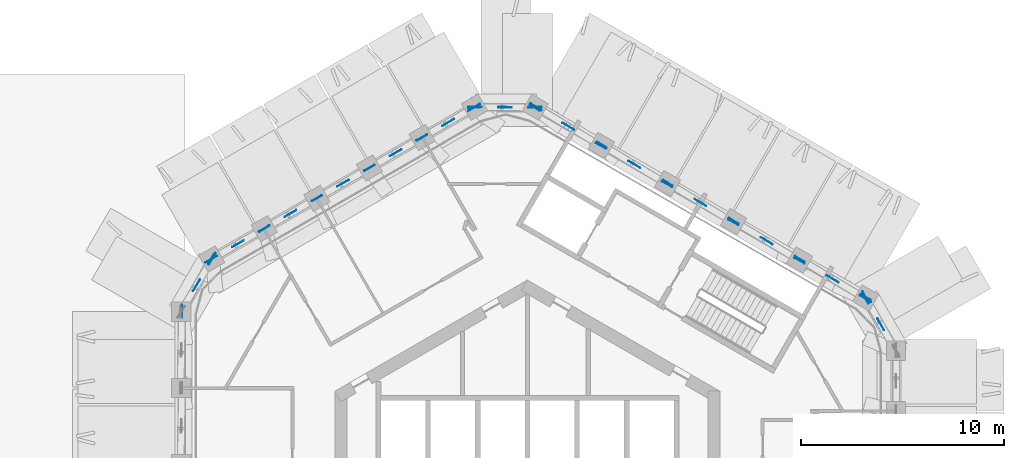
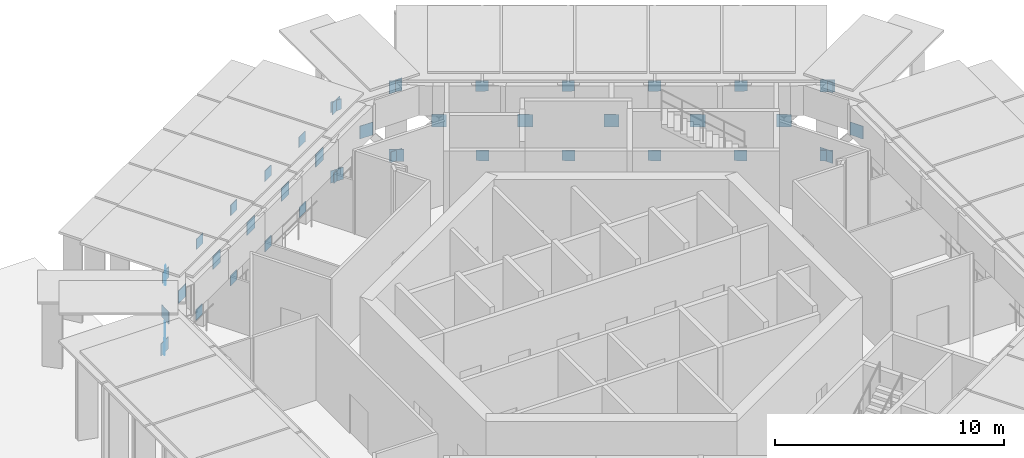
# One storey, part 11 of 15: 46 discrete accessories.
"""IFC4 building model written with IfcOpenShell, lengths in metres."""

import ifcopenshell
import ifcopenshell.guid

model = None  # the IFC model being written
_history = None  # IfcOwnerHistory: only IFC2X3 demands one
_inside = {}  # id of a spatial element -> (the spatial element, [elements in it])
_under = {}  # id of a project, library or spatial element -> (it, [spatial elements below it])
_declared = {}  # id of a project -> (the project, [libraries it declares])
_typed = {}  # id of a type object -> (the type object, [elements of that type])
_made_of = {}  # id of a material, layer set ... -> (it, [elements and type objects made of it])


def new_model(schema):
    """Start an empty IFC model of exactly this schema.

    Asked for "IFC4X3", IfcOpenShell would pick the latest addendum, in which some entities
    have other attributes; the version numbers below select the first issue.
    IFC2X3 requires an IfcOwnerHistory on every rooted entity: one is made here for all.
    """
    global model, _history
    if schema == "IFC4X3":
        model = ifcopenshell.file(schema_version=(4, 3, 0, 0))
    else:
        model = ifcopenshell.file(schema=schema)
    _inside.clear()
    _under.clear()
    _declared.clear()
    _typed.clear()
    _made_of.clear()
    _history = None
    if model.schema == "IFC2X3":
        org = make("IfcOrganization", Name="unknown")
        user = make(
            "IfcPersonAndOrganization",
            ThePerson=make("IfcPerson", FamilyName="unknown"),
            TheOrganization=org,
        )
        app = make(
            "IfcApplication",
            ApplicationDeveloper=org,
            Version="unknown",
            ApplicationFullName="unknown",
            ApplicationIdentifier="unknown",
        )
        _history = make(
            "IfcOwnerHistory",
            OwningUser=user,
            OwningApplication=app,
            ChangeAction="ADDED",
            CreationDate=0,
        )
    return model


def make(cls, **values):
    """One entity of the class cls with the attributes given. An attribute that is None is left unset."""
    return model.create_entity(
        cls, **{name: value for name, value in values.items() if value is not None}
    )


def rooted(cls, **values):
    """An entity with a GlobalId (a new one), such as an element, a storey or a relation."""
    return make(cls, GlobalId=ifcopenshell.guid.new(), OwnerHistory=_history, **values)


def si_unit(unit_type, name, prefix=None):
    """IfcSIUnit, for example si_unit("LENGTHUNIT", "METRE", prefix="MILLI")."""
    return make("IfcSIUnit", UnitType=unit_type, Prefix=prefix, Name=name)


def assignment(units):
    """IfcUnitAssignment: the units of a project."""
    return None if units is None else make("IfcUnitAssignment", Units=units)


def point(xyz):
    """IfcCartesianPoint."""
    return None if xyz is None else make("IfcCartesianPoint", Coordinates=xyz)


def direction(xyz):
    """IfcDirection."""
    return None if xyz is None else make("IfcDirection", DirectionRatios=xyz)


def frame(location, z_axis=None, x_axis=None):
    """IfcAxis2Placement3D, a coordinate frame: its origin and axes. An axis left out is left unset."""
    return make(
        "IfcAxis2Placement3D",
        Location=point(location),
        Axis=direction(z_axis),
        RefDirection=direction(x_axis),
    )


def frame_2d(location, x_axis=None):
    """IfcAxis2Placement2D, a coordinate frame in the plane: its origin and x axis."""
    return make(
        "IfcAxis2Placement2D", Location=point(location), RefDirection=direction(x_axis)
    )


def origin():
    """The frame at (0, 0, 0) with its axes left unset."""
    return frame((0.0, 0.0, 0.0))


def origin_2d():
    """The frame at (0, 0) in the plane with its x axis left unset."""
    return frame_2d((0.0, 0.0))


def place(relative_to, where):
    """IfcLocalPlacement: puts the frame where relative to a parent placement (None: the world)."""
    return make(
        "IfcLocalPlacement", PlacementRelTo=relative_to, RelativePlacement=where
    )


def context(
    kind, dimensions, precision=None, world=None, true_north=None, identifier=None
):
    """IfcGeometricRepresentationContext, for example the 3D "Model" context."""
    return make(
        "IfcGeometricRepresentationContext",
        ContextIdentifier=identifier,
        ContextType=kind,
        CoordinateSpaceDimension=dimensions,
        Precision=precision,
        WorldCoordinateSystem=world,
        TrueNorth=true_north,
    )


def subcontext(parent, identifier, kind, view, scale=None):
    """IfcGeometricRepresentationSubContext, for example "Body" below "Model"."""
    return make(
        "IfcGeometricRepresentationSubContext",
        ContextIdentifier=identifier,
        ContextType=kind,
        ParentContext=parent,
        TargetScale=scale,
        TargetView=view,
    )


def project(units=None, contexts=None):
    """IfcProject with its units and contexts."""
    return rooted(
        "IfcProject",
        Name="project",
        RepresentationContexts=contexts,
        UnitsInContext=assignment(units),
    )


def spatial(cls, under=None, at=None, **own):
    """A site, building, storey or space (cls), placed at a placement, below another one or the project."""
    s = rooted(cls, ObjectPlacement=at, **own)
    if under is not None:
        _under.setdefault(under.id(), (under, []))[1].append(s)
    return s


def profile(cls, at=None, kind="AREA", **sizes):
    """A parametric profile (cls). Its sizes go by their IFC names, for example OverallWidth=200.0."""
    return make(cls, ProfileType=kind, Position=at, **sizes)


def rectangle(**sizes):
    """IfcRectangleProfileDef."""
    return profile("IfcRectangleProfileDef", **sizes)


def extrude(swept, where, along, depth):
    """IfcExtrudedAreaSolid: the profile swept, set in the frame where, extruded along a direction by depth."""
    return make(
        "IfcExtrudedAreaSolid",
        SweptArea=swept,
        Position=where,
        ExtrudedDirection=direction(along),
        Depth=depth,
    )


def shape(context_of_items, identifier, shape_type, items):
    """IfcShapeRepresentation: the items that make up one representation, for example the "Body"."""
    return make(
        "IfcShapeRepresentation",
        ContextOfItems=context_of_items,
        RepresentationIdentifier=identifier,
        RepresentationType=shape_type,
        Items=items,
    )


def material(Name=None, Category=None):
    """IfcMaterial."""
    return make("IfcMaterial", Name=Name, Category=Category)


def layer(
    of_material, thickness, ventilated=None, Name=None, Category=None, Priority=None
):
    """IfcMaterialLayer: one layer of a wall or slab, of a material (None: an air gap)."""
    return make(
        "IfcMaterialLayer",
        Material=of_material,
        LayerThickness=thickness,
        IsVentilated=ventilated,
        Name=Name,
        Category=Category,
        Priority=Priority,
    )


def layer_set(layers, Name=None):
    """IfcMaterialLayerSet."""
    return make("IfcMaterialLayerSet", MaterialLayers=layers, LayerSetName=Name)


def made_of(thing, what):
    """Note that an element or type object is made of a material, layer set ...; save() writes the relation."""
    if what is not None:
        _made_of.setdefault(what.id(), (what, []))[1].append(thing)
    return thing


def type_object(cls, material=None, **own):
    """A type object (cls), such as IfcWallType, which elements share."""
    return made_of(rooted(cls, **own), material)


def element(
    cls,
    number,
    at=None,
    inside=None,
    cuts=None,
    type_object=None,
    material=None,
    context=None,
    identifier="Body",
    shape_type=None,
    held_by="IfcProductDefinitionShape",
    body=None,
    shapes=None,
    **own,
):
    """One element of the class cls, such as IfcWall. Its Tag is "e" and its number.

    at: its placement. inside: the storey or other place that contains it. cuts: it is an
    opening in that element (IfcRelVoidsElement). A single representation is given by context,
    identifier, shape_type and body (its items); several are given by shapes. held_by: the class
    of the entity that holds the representations. save() writes the other relations.
    """
    e = rooted(cls, Tag="e%d" % number, ObjectPlacement=at, **own)
    if body is not None:
        shapes = [shape(context, identifier, shape_type, body)]
    if shapes is not None:
        e.Representation = make(held_by, Representations=shapes)
    if inside is not None:
        _inside.setdefault(inside.id(), (inside, []))[1].append(e)
    if cuts is not None:
        rooted(
            "IfcRelVoidsElement", RelatingBuildingElement=cuts, RelatedOpeningElement=e
        )
    if type_object is not None:
        _typed.setdefault(type_object.id(), (type_object, []))[1].append(e)
    return made_of(e, material)


def aggregate(whole, parts):
    """IfcRelAggregates: a whole, such as a stair, and the parts it consists of."""
    return rooted("IfcRelAggregates", RelatingObject=whole, RelatedObjects=parts)


def save(model, path):
    """Write the relations noted so far, then the file.

    IfcRelAggregates (storeys below a building ...), IfcRelContainedInSpatialStructure (elements
    in a storey), IfcRelDefinesByType, IfcRelAssociatesMaterial and IfcRelDeclares: one each for
    every whole, place, type object, material and project.
    """
    for whole, parts in _under.values():
        aggregate(whole, parts)
    for where, things in _inside.values():
        rooted(
            "IfcRelContainedInSpatialStructure",
            RelatedElements=things,
            RelatingStructure=where,
        )
    for kind, things in _typed.values():
        rooted("IfcRelDefinesByType", RelatedObjects=things, RelatingType=kind)
    for what, things in _made_of.values():
        rooted("IfcRelAssociatesMaterial", RelatedObjects=things, RelatingMaterial=what)
    for by, libraries in _declared.values():
        rooted("IfcRelDeclares", RelatingContext=by, RelatedDefinitions=libraries)
    model.write(path)


model = new_model("IFC4")

# Units and contexts
model_context = context("Model", 3, precision=1e-05, world=origin(), true_north=direction((0.0, 1.0)))
body_context = subcontext(model_context, "Body", "Model", "MODEL_VIEW")
ifc_project = project(units=[si_unit("LENGTHUNIT", "METRE"), si_unit("AREAUNIT", "SQUARE_METRE"), si_unit("VOLUMEUNIT", "CUBIC_METRE"), si_unit("PLANEANGLEUNIT", "RADIAN"), si_unit("MASSUNIT", "GRAM", prefix="KILO")], contexts=[model_context])

# Site, building, storey
site_placement = place(None, origin())
site = spatial("IfcSite", under=ifc_project, at=site_placement, CompositionType="ELEMENT")
building_placement = place(site_placement, origin())
building = spatial("IfcBuilding", under=site, at=building_placement, Name="Ayvan Gate Tower", CompositionType="ELEMENT")
storey_placement = place(building_placement, frame((0.0, 0.0, 214.10009765625)))
storey = spatial("IfcBuildingStorey", under=building, at=storey_placement, Name="L57", CompositionType="ELEMENT", Elevation=214.10009765625)

# Discrete accessories
ifc_material = material(Name="Steel S460ML", Category="steel")
ifc_layer = layer(ifc_material, 0.030029296875)
ifc_layer_set = layer_set([ifc_layer], Name="Steel S460ML")
discrete_accessory_type = type_object("IfcDiscreteAccessoryType", Name="Gusset plate 30 mm", PredefinedType="BRACKET", material=ifc_layer_set)
for number, where, z_axis, x_axis, name in (
    (1, (3.622802734375, 17.58837890625, 3.81982421875), (0.0, 0.0, 1.0), (-0.874555391862, 0.484925629932, 0.0), "Gusset plate BT3-DA-10"),
    (2, (0.356689453125, 19.473876953125, 3.81982421875), (0.0, 0.0, 1.0), (-0.874521535535, 0.484986684235, 0.0), "Gusset plate BT3-DA-11"),
    (3, (0.422119140625, 19.51171875, 0.06982421875), (0.0, 0.0, 1.0), (0.999924020286, 0.012326948298, 0.0), "Gusset plate BT3-DA-12"),
    (4, (-2.643310546875, 19.473876953125, 3.81982421875), (0.0, 0.0, 1.0), (0.999924020286, 0.012326948298, 0.0), "Gusset plate BT3-DA-12"),
    (5, (-2.577880859375, 19.51171875, 0.06982421875), (0.0, 0.0, 1.0), (0.866025403784, 0.5, 0.0), "Gusset plate BT3-DA-13"),
    (6, (-5.223388671875, 17.984375, 3.81982421875), (0.0, 0.0, 1.0), (0.866025403784, 0.5, 0.0), "Gusset plate BT3-DA-13"),
    (7, (-7.80322265625, 16.494873046875, 3.81982421875), (0.0, 0.0, 1.0), (0.866025403784, 0.5, 0.0), "Gusset plate BT3-DA-14"),
    (8, (-10.38330078125, 15.005126953125, 3.81982421875), (0.0, 0.0, 1.0), (0.866025403784, 0.5, 0.0), "Gusset plate BT3-DA-15"),
    (9, (-12.963134765625, 13.515625, 3.81982421875), (0.0, 0.0, 1.0), (0.866025403784, 0.5, 0.0), "Gusset plate BT3-DA-16"),
    (10, (-15.543212890625, 12.026123046875, 3.81982421875), (0.0, 0.0, 1.0), (0.866025403784, 0.5, 0.0), "Gusset plate BT3-DA-17"),
    (11, (-15.608642578125, 11.98828125, 0.06982421875), (0.0, 0.0, 1.0), (0.488807011141, 0.872391945091, 0.0), "Gusset plate BT3-DA-18"),
    (12, (16.6865234375, 10.0458984375, 3.81982421875), (0.0, 0.0, 1.0), (-0.511110080935, 0.859515261741, 0.0), "Gusset plate BT3-DA-6"),
    (13, (16.6865234375, 10.121337890625, 0.06982421875), (0.0, 0.0, 1.0), (-0.874656935266, 0.484742452845, 0.0), "Gusset plate BT3-DA-7"),
    (14, (13.420654296875, 11.931396484375, 3.81982421875), (0.0, 0.0, 1.0), (-0.874656935266, 0.484742452845, 0.0), "Gusset plate BT3-DA-7"),
    (15, (10.154541015625, 13.817138671875, 3.81982421875), (0.0, 0.0, 1.0), (-0.874623091728, 0.484803514237, 0.0), "Gusset plate BT3-DA-8"),
    (16, (6.888671875, 15.70263671875, 3.81982421875), (0.0, 0.0, 1.0), (-0.874589243926, 0.484864573266, 0.0), "Gusset plate BT3-DA-9"),
    (17, (3.675048828125, 17.633544921875, 0.06982421875), (0.0, 0.0, 1.0), (-0.857163705037, 0.515044059054, 0.0), "Gusset plate BT3-DB-10"),
):
    element("IfcDiscreteAccessory", number, at=place(storey_placement, frame(where, z_axis=z_axis, x_axis=x_axis)), inside=storey, type_object=discrete_accessory_type, Name=name, PredefinedType="BRACKET", context=body_context, shape_type="SweptSolid", body=[
        extrude(rectangle(XDim=0.56005859375, YDim=0.030029296875, at=origin_2d()), origin(), (0.0, 0.0, 1.0), 0.56005859375),
    ])
discrete_accessory_1_placement = place(storey_placement, frame((5.278564453125, 16.670166015625, 1.88818359375), z_axis=(0.0, 0.0, 1.0), x_axis=(-0.857163705037, 0.515044059054, 0.0)))
element("IfcDiscreteAccessory", 18, at=discrete_accessory_1_placement, inside=storey, type_object=discrete_accessory_type, Name="Gusset plate BT3-DB-10", PredefinedType="BRACKET", context=body_context, shape_type="SweptSolid", body=[
    extrude(rectangle(XDim=0.666015625, YDim=0.030029296875, at=origin_2d()), origin(), (0.0, 0.0, 1.0), 0.666015625),
])
discrete_accessory_2_placement = place(storey_placement, frame((0.422119140625, 19.51171875, 0.02783203125), z_axis=(0.0, 0.0, 1.0), x_axis=(-0.85712774609, 0.515103899115, 0.0)))
element("IfcDiscreteAccessory", 19, at=discrete_accessory_2_placement, inside=storey, type_object=discrete_accessory_type, Name="Gusset plate BT3-DB-11", PredefinedType="BRACKET", context=body_context, shape_type="SweptSolid", body=[
    extrude(rectangle(XDim=0.64404296875, YDim=0.030029296875, at=origin_2d()), origin(), (0.0, 0.0, 1.0), 0.64404296875),
])
discrete_accessory_3_placement = place(storey_placement, frame((2.019287109375, 18.552001953125, 1.88818359375), z_axis=(0.0, 0.0, 1.0), x_axis=(-0.85712774609, 0.515103899115, 0.0)))
element("IfcDiscreteAccessory", 20, at=discrete_accessory_3_placement, inside=storey, type_object=discrete_accessory_type, Name="Gusset plate BT3-DB-11", PredefinedType="BRACKET", context=body_context, shape_type="SweptSolid", body=[
    extrude(rectangle(XDim=0.665771484375, YDim=0.030029296875, at=origin_2d()), origin(), (0.0, 0.0, 1.0), 0.666259765625),
])
discrete_accessory_4_placement = place(storey_placement, frame((-2.577880859375, 19.51171875, 0.02783203125), z_axis=(0.0, 0.0, 1.0), x_axis=(-0.999917092076, 0.01287668335, 0.0)))
element("IfcDiscreteAccessory", 21, at=discrete_accessory_4_placement, inside=storey, type_object=discrete_accessory_type, Name="Gusset plate BT3-DB-12", PredefinedType="BRACKET", context=body_context, shape_type="SweptSolid", body=[
    extrude(rectangle(XDim=0.64404296875, YDim=0.030029296875, at=origin_2d()), origin(), (0.0, 0.0, 1.0), 0.64404296875),
])
discrete_accessory_5_placement = place(storey_placement, frame((-1.110595703125, 19.492919921875, 1.88232421875), z_axis=(0.0, 0.0, 1.0), x_axis=(-0.999917092076, 0.01287668335, 0.0)))
element("IfcDiscreteAccessory", 22, at=discrete_accessory_5_placement, inside=storey, type_object=discrete_accessory_type, Name="Gusset plate BT3-DB-12", PredefinedType="BRACKET", context=body_context, shape_type="SweptSolid", body=[
    extrude(rectangle(XDim=0.657958984375, YDim=0.030029296875, at=origin_2d()), origin(), (0.0, 0.0, 1.0), 0.68505859375),
])
discrete_accessory_6_placement = place(storey_placement, frame((-5.18408203125, 18.007080078125, 0.06982421875), z_axis=(0.0, 0.0, 1.0), x_axis=(0.866025403784, 0.5, 0.0)))
element("IfcDiscreteAccessory", 23, at=discrete_accessory_6_placement, inside=storey, type_object=discrete_accessory_type, Name="Gusset plate BT3-DB-13", PredefinedType="BRACKET", context=body_context, shape_type="SweptSolid", body=[
    extrude(rectangle(XDim=0.56005859375, YDim=0.030029296875, at=origin_2d()), origin(), (0.0, 0.0, 1.0), 0.56005859375),
])
discrete_accessory_7_placement = place(storey_placement, frame((-3.9072265625, 18.744140625, 1.8916015625), z_axis=(0.0, 0.0, 1.0), x_axis=(0.866025403784, 0.5, 0.0)))
element("IfcDiscreteAccessory", 24, at=discrete_accessory_7_placement, inside=storey, type_object=discrete_accessory_type, Name="Gusset plate BT3-DB-13", PredefinedType="BRACKET", context=body_context, shape_type="SweptSolid", body=[
    extrude(rectangle(XDim=0.657958984375, YDim=0.030029296875, at=origin_2d()), origin(), (0.0, 0.0, 1.0), 0.685302734375),
])
discrete_accessory_8_placement = place(storey_placement, frame((-7.790283203125, 16.502197265625, 0.06982421875), z_axis=(0.0, 0.0, 1.0), x_axis=(0.866025403784, 0.5, 0.0)))
element("IfcDiscreteAccessory", 25, at=discrete_accessory_8_placement, inside=storey, type_object=discrete_accessory_type, Name="Gusset plate BT3-DB-14", PredefinedType="BRACKET", context=body_context, shape_type="SweptSolid", body=[
    extrude(rectangle(XDim=0.56005859375, YDim=0.030029296875, at=origin_2d()), origin(), (0.0, 0.0, 1.0), 0.56005859375),
])
discrete_accessory_9_placement = place(storey_placement, frame((-6.500244140625, 17.2470703125, 1.89208984375), z_axis=(0.0, 0.0, 1.0), x_axis=(0.866025403784, 0.5, 0.0)))
element("IfcDiscreteAccessory", 26, at=discrete_accessory_9_placement, inside=storey, type_object=discrete_accessory_type, Name="Gusset plate BT3-DB-14", PredefinedType="BRACKET", context=body_context, shape_type="SweptSolid", body=[
    extrude(rectangle(XDim=0.658447265625, YDim=0.030029296875, at=origin_2d()), origin(), (0.0, 0.0, 1.0), 0.684814453125),
])
discrete_accessory_10_placement = place(storey_placement, frame((-10.396484375, 14.997802734375, 0.06982421875), z_axis=(0.0, 0.0, 1.0), x_axis=(0.866025403784, 0.5, 0.0)))
element("IfcDiscreteAccessory", 27, at=discrete_accessory_10_placement, inside=storey, type_object=discrete_accessory_type, Name="Gusset plate BT3-DB-15", PredefinedType="BRACKET", context=body_context, shape_type="SweptSolid", body=[
    extrude(rectangle(XDim=0.56005859375, YDim=0.030029296875, at=origin_2d()), origin(), (0.0, 0.0, 1.0), 0.56005859375),
])
discrete_accessory_11_placement = place(storey_placement, frame((-9.09326171875, 15.75, 1.892333984375), z_axis=(0.0, 0.0, 1.0), x_axis=(0.866025403784, 0.5, 0.0)))
element("IfcDiscreteAccessory", 28, at=discrete_accessory_11_placement, inside=storey, type_object=discrete_accessory_type, Name="Gusset plate BT3-DB-15", PredefinedType="BRACKET", context=body_context, shape_type="SweptSolid", body=[
    extrude(rectangle(XDim=0.6591796875, YDim=0.030029296875, at=origin_2d()), origin(), (0.0, 0.0, 1.0), 0.68408203125),
])
discrete_accessory_12_placement = place(storey_placement, frame((-13.00244140625, 13.492919921875, 0.06982421875), z_axis=(0.0, 0.0, 1.0), x_axis=(0.866025403784, 0.5, 0.0)))
element("IfcDiscreteAccessory", 29, at=discrete_accessory_12_placement, inside=storey, type_object=discrete_accessory_type, Name="Gusset plate BT3-DB-16", PredefinedType="BRACKET", context=body_context, shape_type="SweptSolid", body=[
    extrude(rectangle(XDim=0.56005859375, YDim=0.030029296875, at=origin_2d()), origin(), (0.0, 0.0, 1.0), 0.56005859375),
])
discrete_accessory_13_placement = place(storey_placement, frame((-11.686279296875, 14.2529296875, 1.892578125), z_axis=(0.0, 0.0, 1.0), x_axis=(0.866025403784, 0.5, 0.0)))
element("IfcDiscreteAccessory", 30, at=discrete_accessory_13_placement, inside=storey, type_object=discrete_accessory_type, Name="Gusset plate BT3-DB-16", PredefinedType="BRACKET", context=body_context, shape_type="SweptSolid", body=[
    extrude(rectangle(XDim=0.659912109375, YDim=0.030029296875, at=origin_2d()), origin(), (0.0, 0.0, 1.0), 0.68359375),
])
discrete_accessory_14_placement = place(storey_placement, frame((-15.608642578125, 11.98828125, 0.02783203125), z_axis=(0.0, 0.0, 1.0), x_axis=(0.866025403784, 0.5, 0.0)))
element("IfcDiscreteAccessory", 31, at=discrete_accessory_14_placement, inside=storey, type_object=discrete_accessory_type, Name="Gusset plate BT3-DB-17", PredefinedType="BRACKET", context=body_context, shape_type="SweptSolid", body=[
    extrude(rectangle(XDim=0.64404296875, YDim=0.030029296875, at=origin_2d()), origin(), (0.0, 0.0, 1.0), 0.64404296875),
])
discrete_accessory_15_placement = place(storey_placement, frame((-14.279296875, 12.755859375, 1.892822265625), z_axis=(0.0, 0.0, 1.0), x_axis=(0.866025403784, 0.5, 0.0)))
element("IfcDiscreteAccessory", 32, at=discrete_accessory_15_placement, inside=storey, type_object=discrete_accessory_type, Name="Gusset plate BT3-DB-17", PredefinedType="BRACKET", context=body_context, shape_type="SweptSolid", body=[
    extrude(rectangle(XDim=0.660400390625, YDim=0.030029296875, at=origin_2d()), origin(), (0.0, 0.0, 1.0), 0.68310546875),
])
discrete_accessory_16_placement = place(storey_placement, frame((-16.325927734375, 10.708251953125, 1.88330078125), z_axis=(0.0, 0.0, 1.0), x_axis=(0.51063746052, 0.859796129273, 0.0)))
element("IfcDiscreteAccessory", 33, at=discrete_accessory_16_placement, inside=storey, type_object=discrete_accessory_type, Name="Gusset plate BT3-DB-18", PredefinedType="BRACKET", context=body_context, shape_type="SweptSolid", body=[
    extrude(rectangle(XDim=0.660400390625, YDim=0.030029296875, at=origin_2d()), origin(), (0.0, 0.0, 1.0), 0.682861328125),
])
discrete_accessory_17_placement = place(storey_placement, frame((16.6865234375, 10.121337890625, 0.02783203125), z_axis=(0.0, 0.0, 1.0), x_axis=(-0.489286559766, 0.872123077571, 0.0)))
element("IfcDiscreteAccessory", 34, at=discrete_accessory_17_placement, inside=storey, type_object=discrete_accessory_type, Name="Gusset plate BT3-DB-6", PredefinedType="BRACKET", context=body_context, shape_type="SweptSolid", body=[
    extrude(rectangle(XDim=0.64404296875, YDim=0.030029296875, at=origin_2d()), origin(), (0.0, 0.0, 1.0), 0.64404296875),
])
discrete_accessory_18_placement = place(storey_placement, frame((17.4365234375, 8.78466796875, 1.88330078125), z_axis=(0.0, 0.0, 1.0), x_axis=(-0.489286559766, 0.872123077571, 0.0)))
element("IfcDiscreteAccessory", 35, at=discrete_accessory_18_placement, inside=storey, type_object=discrete_accessory_type, Name="Gusset plate BT3-DB-6", PredefinedType="BRACKET", context=body_context, shape_type="SweptSolid", body=[
    extrude(rectangle(XDim=0.660400390625, YDim=0.030029296875, at=origin_2d()), origin(), (0.0, 0.0, 1.0), 0.682861328125),
])
discrete_accessory_19_placement = place(storey_placement, frame((13.43359375, 11.99951171875, 0.06982421875), z_axis=(0.0, 0.0, 1.0), x_axis=(-0.857271556812, 0.514864523813, 0.0)))
element("IfcDiscreteAccessory", 36, at=discrete_accessory_19_placement, inside=storey, type_object=discrete_accessory_type, Name="Gusset plate BT3-DB-7", PredefinedType="BRACKET", context=body_context, shape_type="SweptSolid", body=[
    extrude(rectangle(XDim=0.56005859375, YDim=0.030029296875, at=origin_2d()), origin(), (0.0, 0.0, 1.0), 0.56005859375),
])
discrete_accessory_20_placement = place(storey_placement, frame((15.056884765625, 11.024658203125, 1.888671875), z_axis=(0.0, 0.0, 1.0), x_axis=(-0.857271556812, 0.514864523813, 0.0)))
element("IfcDiscreteAccessory", 37, at=discrete_accessory_20_placement, inside=storey, type_object=discrete_accessory_type, Name="Gusset plate BT3-DB-7", PredefinedType="BRACKET", context=body_context, shape_type="SweptSolid", body=[
    extrude(rectangle(XDim=0.666748046875, YDim=0.030029296875, at=origin_2d()), origin(), (0.0, 0.0, 1.0), 0.665283203125),
])
discrete_accessory_21_placement = place(storey_placement, frame((10.180908203125, 13.87744140625, 0.06982421875), z_axis=(0.0, 0.0, 1.0), x_axis=(-0.857235610398, 0.514924371403, 0.0)))
element("IfcDiscreteAccessory", 38, at=discrete_accessory_21_placement, inside=storey, type_object=discrete_accessory_type, Name="Gusset plate BT3-DB-8", PredefinedType="BRACKET", context=body_context, shape_type="SweptSolid", body=[
    extrude(rectangle(XDim=0.56005859375, YDim=0.030029296875, at=origin_2d()), origin(), (0.0, 0.0, 1.0), 0.56005859375),
])
discrete_accessory_22_placement = place(storey_placement, frame((11.79736328125, 12.906494140625, 1.88818359375), z_axis=(0.0, 0.0, 1.0), x_axis=(-0.857235610398, 0.514924371403, 0.0)))
element("IfcDiscreteAccessory", 39, at=discrete_accessory_22_placement, inside=storey, type_object=discrete_accessory_type, Name="Gusset plate BT3-DB-8", PredefinedType="BRACKET", context=body_context, shape_type="SweptSolid", body=[
    extrude(rectangle(XDim=0.66650390625, YDim=0.030029296875, at=origin_2d()), origin(), (0.0, 0.0, 1.0), 0.665771484375),
])
discrete_accessory_23_placement = place(storey_placement, frame((6.927978515625, 15.755615234375, 0.06982421875), z_axis=(0.0, 0.0, 1.0), x_axis=(-0.857199659807, 0.514984216484, 0.0)))
element("IfcDiscreteAccessory", 40, at=discrete_accessory_23_placement, inside=storey, type_object=discrete_accessory_type, Name="Gusset plate BT3-DB-9", PredefinedType="BRACKET", context=body_context, shape_type="SweptSolid", body=[
    extrude(rectangle(XDim=0.56005859375, YDim=0.030029296875, at=origin_2d()), origin(), (0.0, 0.0, 1.0), 0.56005859375),
])
discrete_accessory_24_placement = place(storey_placement, frame((8.5380859375, 14.788330078125, 1.88818359375), z_axis=(0.0, 0.0, 1.0), x_axis=(-0.857199659807, 0.514984216484, 0.0)))
element("IfcDiscreteAccessory", 41, at=discrete_accessory_24_placement, inside=storey, type_object=discrete_accessory_type, Name="Gusset plate BT3-DB-9", PredefinedType="BRACKET", context=body_context, shape_type="SweptSolid", body=[
    extrude(rectangle(XDim=0.666259765625, YDim=0.030029296875, at=origin_2d()), origin(), (0.0, 0.0, 1.0), 0.666015625),
])
for number, where, z_axis, x_axis, name in (
    (42, (0.356689453125, 19.473876953125, 3.77783203125), (0.0, 0.0, 1.0), (-0.999917092076, 0.01287668335, 0.0), "Gusset plate BT3-DC-12"),
    (43, (-2.643310546875, 19.473876953125, 3.77783203125), (0.0, 0.0, 1.0), (0.866025403784, 0.5, 0.0), "Gusset plate BT3-DC-13"),
    (44, (-15.543212890625, 12.026123046875, 3.77783203125), (0.0, 0.0, 1.0), (0.51063746052, 0.859796129273, 0.0), "Gusset plate BT3-DC-18"),
    (45, (-17.043212890625, 9.427978515625, 3.77783203125), (0.0, 0.0, 1.0), (0.017249978723, 0.999851208048, 0.0), "Gusset plate BT3-DC-19"),
    (46, (16.6865234375, 10.0458984375, 3.77783203125), (0.0, 0.0, 1.0), (-0.857271556812, 0.514864523813, 0.0), "Gusset plate BT3-DC-7"),
):
    element("IfcDiscreteAccessory", number, at=place(storey_placement, frame(where, z_axis=z_axis, x_axis=x_axis)), inside=storey, type_object=discrete_accessory_type, Name=name, PredefinedType="BRACKET", context=body_context, shape_type="SweptSolid", body=[
        extrude(rectangle(XDim=0.64404296875, YDim=0.030029296875, at=origin_2d()), origin(), (0.0, 0.0, 1.0), 0.64404296875),
    ])

save(model, "model.ifc")
